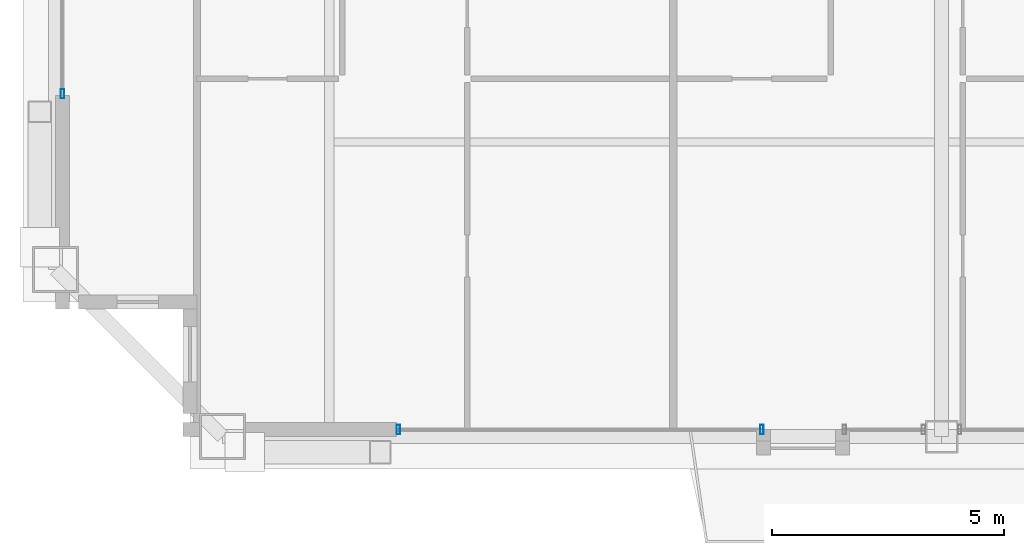
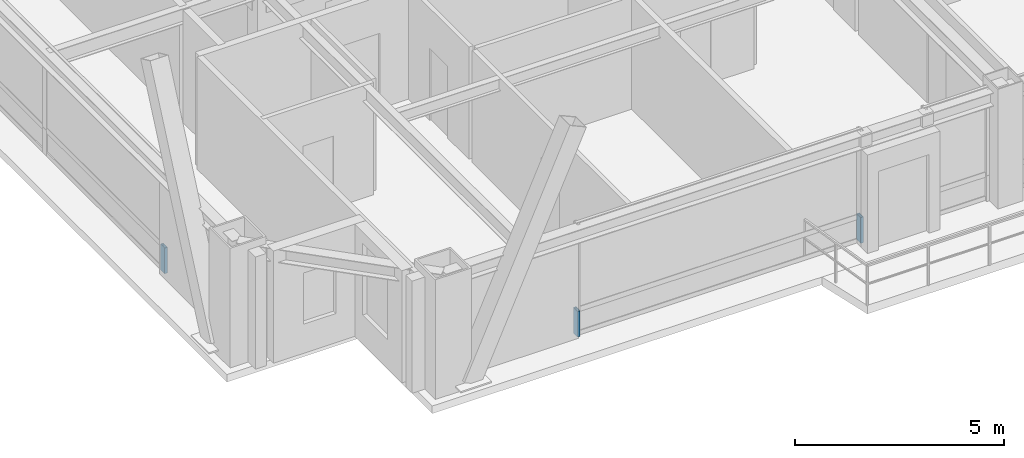
# One storey, part 20 of 35: 3 members, 2 elements without a shape of their own.
"""IFC4 building model written with IfcOpenShell, lengths in metres."""

from ifc_helpers import new_model, si_unit, direction, frame, origin, origin_2d, place, context, subcontext, project, spatial, hollow_rectangle, extrude, source, transform, mapped, material, layer, layer_set, material_profile, profile_set, type_object, element, aggregate, save


model = new_model("IFC4")

# Units and contexts
model_context = context("Model", 3, precision=1e-05, world=origin(), true_north=direction((0.0, 1.0)))
body_context = subcontext(model_context, "Body", "Model", "MODEL_VIEW")
ifc_project = project(units=[si_unit("LENGTHUNIT", "METRE"), si_unit("AREAUNIT", "SQUARE_METRE"), si_unit("VOLUMEUNIT", "CUBIC_METRE"), si_unit("PLANEANGLEUNIT", "RADIAN"), si_unit("MASSUNIT", "GRAM", prefix="KILO"), si_unit("THERMODYNAMICTEMPERATUREUNIT", "KELVIN"), si_unit("POWERUNIT", "WATT")], contexts=[model_context])

# Site, building, storey
site_placement = place(None, origin())
site = spatial("IfcSite", under=ifc_project, at=site_placement, CompositionType="ELEMENT")
building_placement = place(site_placement, origin())
building = spatial("IfcBuilding", under=site, at=building_placement, Name="Yuzanri Waterfront Tower", CompositionType="ELEMENT")
storey_placement = place(building_placement, frame((0.0, 0.0, 314.699951171875)))
storey = spatial("IfcBuildingStorey", under=building, at=storey_placement, Name="L84", CompositionType="ELEMENT", Elevation=314.699951171875)

# Curtain wall, members
ifc_material_1 = material(Name="Anodized Architectural Bronze", Category="metal")
ifc_layer = layer(ifc_material_1, 0.159912109375)
ifc_layer_set = layer_set([ifc_layer], Name="Anodized Architectural Bronze")
curtain_wall_type = type_object("IfcCurtainWallType", Name="Anodized Bronze High-Rise Penthouse High-Wind Unitized Curtain Wall 6900", PredefinedType="NOTDEFINED", material=ifc_layer_set)
curtain_wall_1_placement = place(storey_placement, origin())
curtain_wall_1 = element("IfcCurtainWall", 1, at=curtain_wall_1_placement, inside=storey, type_object=curtain_wall_type, Name="L84 Curtain Wall CW-L84-SL1", PredefinedType="NOTDEFINED")
ifc_material_2 = material(Name="Anodized Architectural Bronze", Category="metal")
ifc_material_profile = material_profile(ifc_material_2, hollow_rectangle(XDim=0.074951171875, YDim=0.199951171875, WallThickness=0.00390625, at=origin_2d()), Name="CWM 75x200")
ifc_profile_set = profile_set([ifc_material_profile], Name="Anodized Architectural Bronze")
member_type = type_object("IfcMemberType", Name="Anodized Bronze Primary Curtain-Wall Mullion 75x200", PredefinedType="MULLION", material=ifc_profile_set)
shared_shape = source(origin(), body_context, "Body", "SweptSolid", [
    extrude(hollow_rectangle(XDim=0.074951171875, YDim=0.199951171875, WallThickness=0.00390625, at=origin_2d()), origin(), (0.0, 0.0, 1.0), 0.751953125),
])
member_1_placement = place(storey_placement, frame((25.2900390625, 6.85009765625, 0.0), z_axis=(0.0, 0.0, 1.0), x_axis=(1.0, 0.0, 0.0)))
member_1 = element("IfcMember", 2, at=member_1_placement, type_object=member_type, Name="CW-L84-SL1 Lower Mullion 00", PredefinedType="MULLION", context=body_context, shape_type="MappedRepresentation", body=[
    mapped(shared_shape, transform((0.0, 0.0, 0.0), scale=1.0)),
])
member_2_placement = place(storey_placement, frame((33.125, 6.85009765625, 0.0), z_axis=(0.0, 0.0, 1.0), x_axis=(1.0, 0.0, 0.0)))
member_2 = element("IfcMember", 3, at=member_2_placement, type_object=member_type, Name="CW-L84-SL1 Lower Mullion 01", PredefinedType="MULLION", context=body_context, shape_type="MappedRepresentation", body=[
    mapped(shared_shape, transform((0.0, 0.0, 0.0), scale=1.0)),
])
aggregate(curtain_wall_1, [member_1, member_2])

# Curtain wall, member
curtain_wall_2_placement = place(storey_placement, origin())
curtain_wall_2 = element("IfcCurtainWall", 4, at=curtain_wall_2_placement, inside=storey, type_object=curtain_wall_type, Name="L84 Curtain Wall CW-L84-WL", PredefinedType="NOTDEFINED")
member_3_placement = place(storey_placement, frame((18.050048828125, 14.090087890625, 0.0), z_axis=(0.0, 0.0, 1.0), x_axis=(1.0, 0.0, 0.0)))
member_3 = element("IfcMember", 5, at=member_3_placement, type_object=member_type, Name="CW-L84-WL Lower Mullion 00", PredefinedType="MULLION", context=body_context, shape_type="MappedRepresentation", body=[
    mapped(shared_shape, transform((0.0, 0.0, 0.0), scale=1.0)),
])
aggregate(curtain_wall_2, [member_3])

save(model, "model.ifc")
